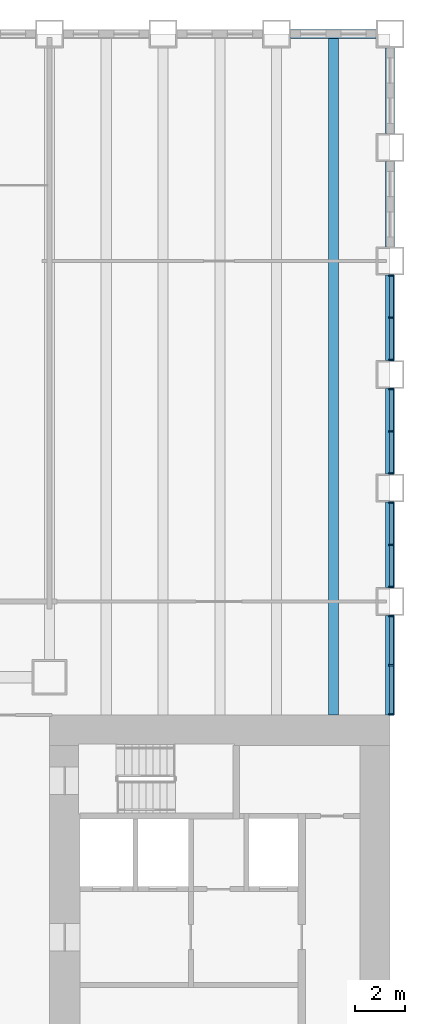
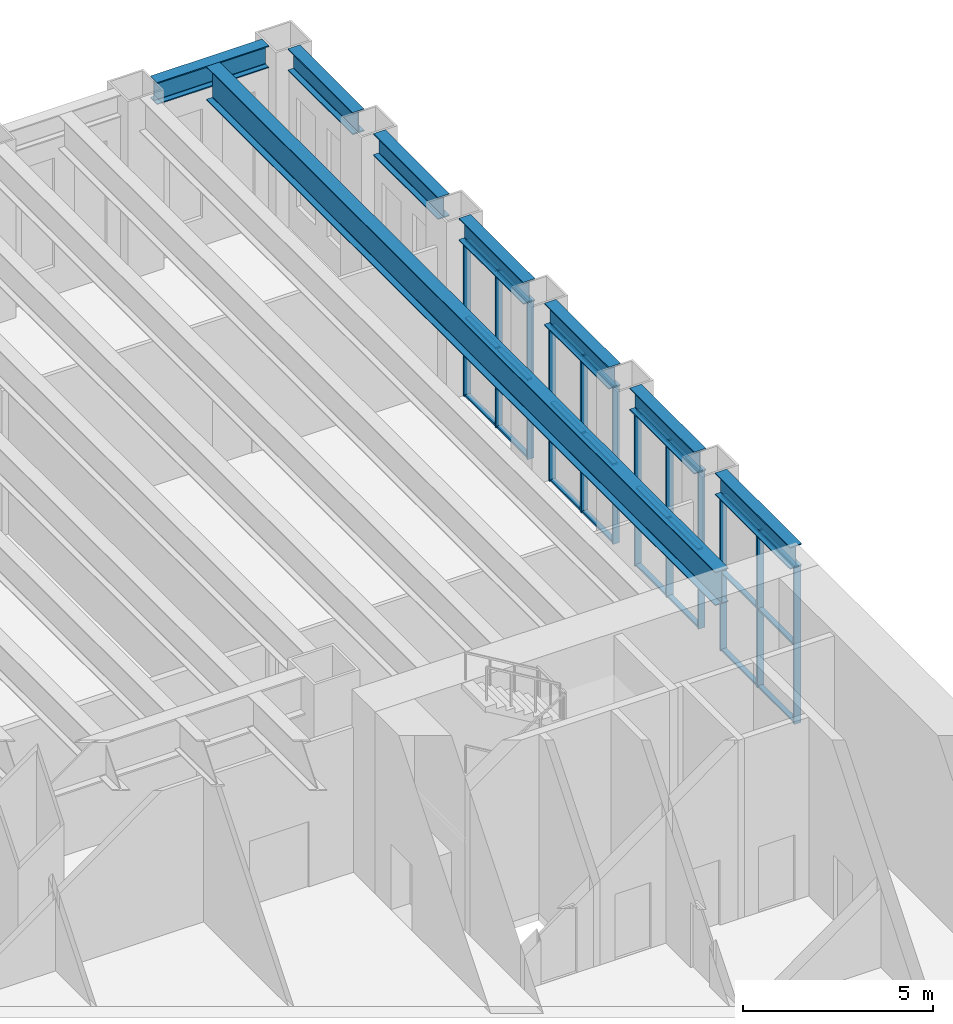
# One storey, part 4 of 19: 36 members, 8 beams, 4 elements without a shape of their own.
"""IFC4 building model written with IfcOpenShell, lengths in metres."""

from ifc_helpers import new_model, si_unit, direction, frame, origin, origin_2d, place, context, subcontext, project, spatial, rectangle, i_section, extrude, material, material_profile, profile_set, type_object, element, aggregate, save


model = new_model("IFC4")

# Units and contexts
model_context = context("Model", 3, precision=1e-05, world=origin(), true_north=direction((0.0, 1.0)))
body_context = subcontext(model_context, "Body", "Model", "MODEL_VIEW")
ifc_project = project(units=[si_unit("LENGTHUNIT", "METRE"), si_unit("AREAUNIT", "SQUARE_METRE"), si_unit("VOLUMEUNIT", "CUBIC_METRE"), si_unit("PLANEANGLEUNIT", "RADIAN"), si_unit("MASSUNIT", "GRAM", prefix="KILO")], contexts=[model_context])

# Site, building, storey
site_placement = place(None, origin())
site = spatial("IfcSite", under=ifc_project, at=site_placement, CompositionType="ELEMENT")
building_placement = place(site_placement, origin())
building = spatial("IfcBuilding", under=site, at=building_placement, Name="Sennacour Bend Tower", CompositionType="ELEMENT")
storey_placement = place(building_placement, frame((0.0, 0.0, 8.0)))
storey = spatial("IfcBuildingStorey", under=building, at=storey_placement, Name="L01", CompositionType="ELEMENT", Elevation=8.0)

# Curtain wall, members
ifc_material_1 = material(Name="Bronze anodised aluminium curtain wall with clear glass", Category="aluminium")
curtain_wall_type = type_object("IfcCurtainWallType", Name="CURTAIN WALL NOTCH", PredefinedType="NOTDEFINED", material=ifc_material_1)
curtain_wall_1_placement = place(storey_placement, origin())
curtain_wall_1 = element("IfcCurtainWall", 1, at=curtain_wall_1_placement, inside=storey, type_object=curtain_wall_type, Name="Podium glass wall L01", PredefinedType="NOTDEFINED")
ifc_material_2 = material(Name="Aluminium 6063-T6", Category="aluminium")
ifc_material_profile_1 = material_profile(ifc_material_2, rectangle(XDim=0.199951171875, YDim=0.06005859375, at=origin_2d()), Name="Aluminium 6063-T6", Category="aluminium")
ifc_profile_set_1 = profile_set([ifc_material_profile_1], Name="Aluminium 6063-T6")
member_type_1 = type_object("IfcMemberType", Name="CW-MULLION-200X60", PredefinedType="MULLION", material=ifc_profile_set_1)
member_1_placement = place(storey_placement, frame((67.550048828125, 22.531005859375, 0.0), z_axis=(0.0, 0.0, 1.0), x_axis=(-1.0, 0.0, 0.0)))
member_1 = element("IfcMember", 2, at=member_1_placement, type_object=member_type_1, Name="GW2 curtain wall mullion 1", PredefinedType="MULLION", context=body_context, shape_type="SweptSolid", body=[
    extrude(rectangle(XDim=0.199951171875, YDim=0.06005859375, at=origin_2d()), origin(), (0.0, 0.0, 1.0), 5.035888671875),
])
member_2_placement = place(storey_placement, frame((67.550048828125, 24.4755859375, 0.0), z_axis=(0.0, 0.0, 1.0), x_axis=(-1.0, 0.0, 0.0)))
member_2 = element("IfcMember", 3, at=member_2_placement, type_object=member_type_1, Name="GW2 curtain wall mullion 2", PredefinedType="MULLION", context=body_context, shape_type="SweptSolid", body=[
    extrude(rectangle(XDim=0.199951171875, YDim=0.06005859375, at=origin_2d()), origin(), (0.0, 0.0, 1.0), 5.035888671875),
])
member_3_placement = place(storey_placement, frame((67.550048828125, 26.419921875, 0.0), z_axis=(0.0, 0.0, 1.0), x_axis=(-1.0, 0.0, 0.0)))
member_3 = element("IfcMember", 4, at=member_3_placement, type_object=member_type_1, Name="GW2 curtain wall mullion 3", PredefinedType="MULLION", context=body_context, shape_type="SweptSolid", body=[
    extrude(rectangle(XDim=0.199951171875, YDim=0.06005859375, at=origin_2d()), origin(), (0.0, 0.0, 1.0), 5.035888671875),
])

curtain_wall_2_placement = place(storey_placement, origin())
curtain_wall_2 = element("IfcCurtainWall", 5, at=curtain_wall_2_placement, inside=storey, type_object=curtain_wall_type, Name="Podium glass wall L01", PredefinedType="NOTDEFINED")
member_4_placement = place(storey_placement, frame((67.550048828125, 27.580078125, 0.0), z_axis=(0.0, 0.0, 1.0), x_axis=(-1.0, 0.0, 0.0)))
member_4 = element("IfcMember", 6, at=member_4_placement, type_object=member_type_1, Name="GW2 curtain wall mullion 1", PredefinedType="MULLION", context=body_context, shape_type="SweptSolid", body=[
    extrude(rectangle(XDim=0.199951171875, YDim=0.06005859375, at=origin_2d()), origin(), (0.0, 0.0, 1.0), 5.035888671875),
])
member_5_placement = place(storey_placement, frame((67.550048828125, 29.25, 0.0), z_axis=(0.0, 0.0, 1.0), x_axis=(-1.0, 0.0, 0.0)))
member_5 = element("IfcMember", 7, at=member_5_placement, type_object=member_type_1, Name="GW2 curtain wall mullion 2", PredefinedType="MULLION", context=body_context, shape_type="SweptSolid", body=[
    extrude(rectangle(XDim=0.199951171875, YDim=0.06005859375, at=origin_2d()), origin(), (0.0, 0.0, 1.0), 5.035888671875),
])
member_6_placement = place(storey_placement, frame((67.550048828125, 30.919921875, 0.0), z_axis=(0.0, 0.0, 1.0), x_axis=(-1.0, 0.0, 0.0)))
member_6 = element("IfcMember", 8, at=member_6_placement, type_object=member_type_1, Name="GW2 curtain wall mullion 3", PredefinedType="MULLION", context=body_context, shape_type="SweptSolid", body=[
    extrude(rectangle(XDim=0.199951171875, YDim=0.06005859375, at=origin_2d()), origin(), (0.0, 0.0, 1.0), 5.035888671875),
])

curtain_wall_3_placement = place(storey_placement, origin())
curtain_wall_3 = element("IfcCurtainWall", 9, at=curtain_wall_3_placement, inside=storey, type_object=curtain_wall_type, Name="Podium glass wall L01", PredefinedType="NOTDEFINED")
member_7_placement = place(storey_placement, frame((67.550048828125, 32.080078125, 0.0), z_axis=(0.0, 0.0, 1.0), x_axis=(-1.0, 0.0, 0.0)))
member_7 = element("IfcMember", 10, at=member_7_placement, type_object=member_type_1, Name="GW2 curtain wall mullion 1", PredefinedType="MULLION", context=body_context, shape_type="SweptSolid", body=[
    extrude(rectangle(XDim=0.199951171875, YDim=0.06005859375, at=origin_2d()), origin(), (0.0, 0.0, 1.0), 5.035888671875),
])
member_8_placement = place(storey_placement, frame((67.550048828125, 33.75, 0.0), z_axis=(0.0, 0.0, 1.0), x_axis=(-1.0, 0.0, 0.0)))
member_8 = element("IfcMember", 11, at=member_8_placement, type_object=member_type_1, Name="GW2 curtain wall mullion 2", PredefinedType="MULLION", context=body_context, shape_type="SweptSolid", body=[
    extrude(rectangle(XDim=0.199951171875, YDim=0.06005859375, at=origin_2d()), origin(), (0.0, 0.0, 1.0), 5.035888671875),
])
member_9_placement = place(storey_placement, frame((67.550048828125, 35.419921875, 0.0), z_axis=(0.0, 0.0, 1.0), x_axis=(-1.0, 0.0, 0.0)))
member_9 = element("IfcMember", 12, at=member_9_placement, type_object=member_type_1, Name="GW2 curtain wall mullion 3", PredefinedType="MULLION", context=body_context, shape_type="SweptSolid", body=[
    extrude(rectangle(XDim=0.199951171875, YDim=0.06005859375, at=origin_2d()), origin(), (0.0, 0.0, 1.0), 5.035888671875),
])

curtain_wall_4_placement = place(storey_placement, origin())
curtain_wall_4 = element("IfcCurtainWall", 13, at=curtain_wall_4_placement, inside=storey, type_object=curtain_wall_type, Name="Podium glass wall L01", PredefinedType="NOTDEFINED")
member_10_placement = place(storey_placement, frame((67.550048828125, 36.580078125, 0.0), z_axis=(0.0, 0.0, 1.0), x_axis=(-1.0, 0.0, 0.0)))
member_10 = element("IfcMember", 14, at=member_10_placement, type_object=member_type_1, Name="GW2 curtain wall mullion 1", PredefinedType="MULLION", context=body_context, shape_type="SweptSolid", body=[
    extrude(rectangle(XDim=0.199951171875, YDim=0.06005859375, at=origin_2d()), origin(), (0.0, 0.0, 1.0), 5.035888671875),
])
member_11_placement = place(storey_placement, frame((67.550048828125, 38.25, 0.0), z_axis=(0.0, 0.0, 1.0), x_axis=(-1.0, 0.0, 0.0)))
member_11 = element("IfcMember", 15, at=member_11_placement, type_object=member_type_1, Name="GW2 curtain wall mullion 2", PredefinedType="MULLION", context=body_context, shape_type="SweptSolid", body=[
    extrude(rectangle(XDim=0.199951171875, YDim=0.06005859375, at=origin_2d()), origin(), (0.0, 0.0, 1.0), 5.035888671875),
])
member_12_placement = place(storey_placement, frame((67.550048828125, 39.919921875, 0.0), z_axis=(0.0, 0.0, 1.0), x_axis=(-1.0, 0.0, 0.0)))
member_12 = element("IfcMember", 16, at=member_12_placement, type_object=member_type_1, Name="GW2 curtain wall mullion 3", PredefinedType="MULLION", context=body_context, shape_type="SweptSolid", body=[
    extrude(rectangle(XDim=0.199951171875, YDim=0.06005859375, at=origin_2d()), origin(), (0.0, 0.0, 1.0), 5.035888671875),
])

# Member
ifc_material_profile_2 = material_profile(ifc_material_2, rectangle(XDim=0.14990234375, YDim=0.06005859375, at=origin_2d()), Name="Aluminium 6063-T6", Category="aluminium")
ifc_profile_set_2 = profile_set([ifc_material_profile_2], Name="Aluminium 6063-T6")
member_type_2 = type_object("IfcMemberType", Name="CW-TRANSOM-150X60", PredefinedType="USERDEFINED", material=ifc_profile_set_2)
member_13_placement = place(storey_placement, frame((67.550048828125, 22.56103515625, 0.030029296875), z_axis=(0.0, 1.0, 0.0), x_axis=(-1.0, 0.0, 0.0)))
member_13 = element("IfcMember", 17, at=member_13_placement, type_object=member_type_2, Name="GW2 curtain wall transom 1.1", ObjectType="TRANSOM", PredefinedType="USERDEFINED", context=body_context, shape_type="SweptSolid", body=[
    extrude(rectangle(XDim=0.14990234375, YDim=0.06005859375, at=origin_2d()), origin(), (0.0, 0.0, 1.0), 1.884521484375),
])

member_14_placement = place(storey_placement, frame((67.550048828125, 22.56103515625, 2.51806640625), z_axis=(0.0, 1.0, 0.0), x_axis=(-1.0, 0.0, 0.0)))
member_14 = element("IfcMember", 18, at=member_14_placement, type_object=member_type_2, Name="GW2 curtain wall transom 1.2", ObjectType="TRANSOM", PredefinedType="USERDEFINED", context=body_context, shape_type="SweptSolid", body=[
    extrude(rectangle(XDim=0.14990234375, YDim=0.06005859375, at=origin_2d()), origin(), (0.0, 0.0, 1.0), 1.884521484375),
])

member_15_placement = place(storey_placement, frame((67.550048828125, 22.56103515625, 5.006103515625), z_axis=(0.0, 1.0, 0.0), x_axis=(-1.0, 0.0, 0.0)))
member_15 = element("IfcMember", 19, at=member_15_placement, type_object=member_type_2, Name="GW2 curtain wall transom 1.3", ObjectType="TRANSOM", PredefinedType="USERDEFINED", context=body_context, shape_type="SweptSolid", body=[
    extrude(rectangle(XDim=0.14990234375, YDim=0.06005859375, at=origin_2d()), origin(), (0.0, 0.0, 1.0), 1.884521484375),
])

member_16_placement = place(storey_placement, frame((67.550048828125, 24.505615234375, 0.030029296875), z_axis=(0.0, 1.0, 0.0), x_axis=(-1.0, 0.0, 0.0)))
member_16 = element("IfcMember", 20, at=member_16_placement, type_object=member_type_2, Name="GW2 curtain wall transom 2.1", ObjectType="TRANSOM", PredefinedType="USERDEFINED", context=body_context, shape_type="SweptSolid", body=[
    extrude(rectangle(XDim=0.14990234375, YDim=0.06005859375, at=origin_2d()), origin(), (0.0, 0.0, 1.0), 1.88427734375),
])

member_17_placement = place(storey_placement, frame((67.550048828125, 24.505615234375, 2.51806640625), z_axis=(0.0, 1.0, 0.0), x_axis=(-1.0, 0.0, 0.0)))
member_17 = element("IfcMember", 21, at=member_17_placement, type_object=member_type_2, Name="GW2 curtain wall transom 2.2", ObjectType="TRANSOM", PredefinedType="USERDEFINED", context=body_context, shape_type="SweptSolid", body=[
    extrude(rectangle(XDim=0.14990234375, YDim=0.06005859375, at=origin_2d()), origin(), (0.0, 0.0, 1.0), 1.88427734375),
])

member_18_placement = place(storey_placement, frame((67.550048828125, 24.505615234375, 5.006103515625), z_axis=(0.0, 1.0, 0.0), x_axis=(-1.0, 0.0, 0.0)))
member_18 = element("IfcMember", 22, at=member_18_placement, type_object=member_type_2, Name="GW2 curtain wall transom 2.3", ObjectType="TRANSOM", PredefinedType="USERDEFINED", context=body_context, shape_type="SweptSolid", body=[
    extrude(rectangle(XDim=0.14990234375, YDim=0.06005859375, at=origin_2d()), origin(), (0.0, 0.0, 1.0), 1.88427734375),
])

aggregate(curtain_wall_1, [member_1, member_2, member_3, member_13, member_14, member_15, member_16, member_17, member_18])

member_19_placement = place(storey_placement, frame((67.550048828125, 27.610107421875, 0.030029296875), z_axis=(0.0, 1.0, 0.0), x_axis=(-1.0, 0.0, 0.0)))
member_19 = element("IfcMember", 23, at=member_19_placement, type_object=member_type_2, Name="GW2 curtain wall transom 1.1", ObjectType="TRANSOM", PredefinedType="USERDEFINED", context=body_context, shape_type="SweptSolid", body=[
    extrude(rectangle(XDim=0.14990234375, YDim=0.06005859375, at=origin_2d()), origin(), (0.0, 0.0, 1.0), 1.60986328125),
])

member_20_placement = place(storey_placement, frame((67.550048828125, 27.610107421875, 2.51806640625), z_axis=(0.0, 1.0, 0.0), x_axis=(-1.0, 0.0, 0.0)))
member_20 = element("IfcMember", 24, at=member_20_placement, type_object=member_type_2, Name="GW2 curtain wall transom 1.2", ObjectType="TRANSOM", PredefinedType="USERDEFINED", context=body_context, shape_type="SweptSolid", body=[
    extrude(rectangle(XDim=0.14990234375, YDim=0.06005859375, at=origin_2d()), origin(), (0.0, 0.0, 1.0), 1.60986328125),
])

member_21_placement = place(storey_placement, frame((67.550048828125, 27.610107421875, 5.006103515625), z_axis=(0.0, 1.0, 0.0), x_axis=(-1.0, 0.0, 0.0)))
member_21 = element("IfcMember", 25, at=member_21_placement, type_object=member_type_2, Name="GW2 curtain wall transom 1.3", ObjectType="TRANSOM", PredefinedType="USERDEFINED", context=body_context, shape_type="SweptSolid", body=[
    extrude(rectangle(XDim=0.14990234375, YDim=0.06005859375, at=origin_2d()), origin(), (0.0, 0.0, 1.0), 1.60986328125),
])

member_22_placement = place(storey_placement, frame((67.550048828125, 29.280029296875, 0.030029296875), z_axis=(0.0, 1.0, 0.0), x_axis=(-1.0, 0.0, 0.0)))
member_22 = element("IfcMember", 26, at=member_22_placement, type_object=member_type_2, Name="GW2 curtain wall transom 2.1", ObjectType="TRANSOM", PredefinedType="USERDEFINED", context=body_context, shape_type="SweptSolid", body=[
    extrude(rectangle(XDim=0.14990234375, YDim=0.06005859375, at=origin_2d()), origin(), (0.0, 0.0, 1.0), 1.60986328125),
])

member_23_placement = place(storey_placement, frame((67.550048828125, 29.280029296875, 2.51806640625), z_axis=(0.0, 1.0, 0.0), x_axis=(-1.0, 0.0, 0.0)))
member_23 = element("IfcMember", 27, at=member_23_placement, type_object=member_type_2, Name="GW2 curtain wall transom 2.2", ObjectType="TRANSOM", PredefinedType="USERDEFINED", context=body_context, shape_type="SweptSolid", body=[
    extrude(rectangle(XDim=0.14990234375, YDim=0.06005859375, at=origin_2d()), origin(), (0.0, 0.0, 1.0), 1.60986328125),
])

member_24_placement = place(storey_placement, frame((67.550048828125, 29.280029296875, 5.006103515625), z_axis=(0.0, 1.0, 0.0), x_axis=(-1.0, 0.0, 0.0)))
member_24 = element("IfcMember", 28, at=member_24_placement, type_object=member_type_2, Name="GW2 curtain wall transom 2.3", ObjectType="TRANSOM", PredefinedType="USERDEFINED", context=body_context, shape_type="SweptSolid", body=[
    extrude(rectangle(XDim=0.14990234375, YDim=0.06005859375, at=origin_2d()), origin(), (0.0, 0.0, 1.0), 1.60986328125),
])

aggregate(curtain_wall_2, [member_4, member_5, member_6, member_19, member_20, member_21, member_22, member_23, member_24])

member_25_placement = place(storey_placement, frame((67.550048828125, 32.110107421875, 0.030029296875), z_axis=(0.0, 1.0, 0.0), x_axis=(-1.0, 0.0, 0.0)))
member_25 = element("IfcMember", 29, at=member_25_placement, type_object=member_type_2, Name="GW2 curtain wall transom 1.1", ObjectType="TRANSOM", PredefinedType="USERDEFINED", context=body_context, shape_type="SweptSolid", body=[
    extrude(rectangle(XDim=0.14990234375, YDim=0.06005859375, at=origin_2d()), origin(), (0.0, 0.0, 1.0), 1.60986328125),
])

member_26_placement = place(storey_placement, frame((67.550048828125, 32.110107421875, 2.51806640625), z_axis=(0.0, 1.0, 0.0), x_axis=(-1.0, 0.0, 0.0)))
member_26 = element("IfcMember", 30, at=member_26_placement, type_object=member_type_2, Name="GW2 curtain wall transom 1.2", ObjectType="TRANSOM", PredefinedType="USERDEFINED", context=body_context, shape_type="SweptSolid", body=[
    extrude(rectangle(XDim=0.14990234375, YDim=0.06005859375, at=origin_2d()), origin(), (0.0, 0.0, 1.0), 1.60986328125),
])

member_27_placement = place(storey_placement, frame((67.550048828125, 32.110107421875, 5.006103515625), z_axis=(0.0, 1.0, 0.0), x_axis=(-1.0, 0.0, 0.0)))
member_27 = element("IfcMember", 31, at=member_27_placement, type_object=member_type_2, Name="GW2 curtain wall transom 1.3", ObjectType="TRANSOM", PredefinedType="USERDEFINED", context=body_context, shape_type="SweptSolid", body=[
    extrude(rectangle(XDim=0.14990234375, YDim=0.06005859375, at=origin_2d()), origin(), (0.0, 0.0, 1.0), 1.60986328125),
])

member_28_placement = place(storey_placement, frame((67.550048828125, 33.780029296875, 0.030029296875), z_axis=(0.0, 1.0, 0.0), x_axis=(-1.0, 0.0, 0.0)))
member_28 = element("IfcMember", 32, at=member_28_placement, type_object=member_type_2, Name="GW2 curtain wall transom 2.1", ObjectType="TRANSOM", PredefinedType="USERDEFINED", context=body_context, shape_type="SweptSolid", body=[
    extrude(rectangle(XDim=0.14990234375, YDim=0.06005859375, at=origin_2d()), origin(), (0.0, 0.0, 1.0), 1.60986328125),
])

member_29_placement = place(storey_placement, frame((67.550048828125, 33.780029296875, 2.51806640625), z_axis=(0.0, 1.0, 0.0), x_axis=(-1.0, 0.0, 0.0)))
member_29 = element("IfcMember", 33, at=member_29_placement, type_object=member_type_2, Name="GW2 curtain wall transom 2.2", ObjectType="TRANSOM", PredefinedType="USERDEFINED", context=body_context, shape_type="SweptSolid", body=[
    extrude(rectangle(XDim=0.14990234375, YDim=0.06005859375, at=origin_2d()), origin(), (0.0, 0.0, 1.0), 1.60986328125),
])

member_30_placement = place(storey_placement, frame((67.550048828125, 33.780029296875, 5.006103515625), z_axis=(0.0, 1.0, 0.0), x_axis=(-1.0, 0.0, 0.0)))
member_30 = element("IfcMember", 34, at=member_30_placement, type_object=member_type_2, Name="GW2 curtain wall transom 2.3", ObjectType="TRANSOM", PredefinedType="USERDEFINED", context=body_context, shape_type="SweptSolid", body=[
    extrude(rectangle(XDim=0.14990234375, YDim=0.06005859375, at=origin_2d()), origin(), (0.0, 0.0, 1.0), 1.60986328125),
])

aggregate(curtain_wall_3, [member_7, member_8, member_9, member_25, member_26, member_27, member_28, member_29, member_30])

member_31_placement = place(storey_placement, frame((67.550048828125, 36.610107421875, 0.030029296875), z_axis=(0.0, 1.0, 0.0), x_axis=(-1.0, 0.0, 0.0)))
member_31 = element("IfcMember", 35, at=member_31_placement, type_object=member_type_2, Name="GW2 curtain wall transom 1.1", ObjectType="TRANSOM", PredefinedType="USERDEFINED", context=body_context, shape_type="SweptSolid", body=[
    extrude(rectangle(XDim=0.14990234375, YDim=0.06005859375, at=origin_2d()), origin(), (0.0, 0.0, 1.0), 1.60986328125),
])

member_32_placement = place(storey_placement, frame((67.550048828125, 36.610107421875, 2.51806640625), z_axis=(0.0, 1.0, 0.0), x_axis=(-1.0, 0.0, 0.0)))
member_32 = element("IfcMember", 36, at=member_32_placement, type_object=member_type_2, Name="GW2 curtain wall transom 1.2", ObjectType="TRANSOM", PredefinedType="USERDEFINED", context=body_context, shape_type="SweptSolid", body=[
    extrude(rectangle(XDim=0.14990234375, YDim=0.06005859375, at=origin_2d()), origin(), (0.0, 0.0, 1.0), 1.60986328125),
])

member_33_placement = place(storey_placement, frame((67.550048828125, 36.610107421875, 5.006103515625), z_axis=(0.0, 1.0, 0.0), x_axis=(-1.0, 0.0, 0.0)))
member_33 = element("IfcMember", 37, at=member_33_placement, type_object=member_type_2, Name="GW2 curtain wall transom 1.3", ObjectType="TRANSOM", PredefinedType="USERDEFINED", context=body_context, shape_type="SweptSolid", body=[
    extrude(rectangle(XDim=0.14990234375, YDim=0.06005859375, at=origin_2d()), origin(), (0.0, 0.0, 1.0), 1.60986328125),
])

member_34_placement = place(storey_placement, frame((67.550048828125, 38.280029296875, 0.030029296875), z_axis=(0.0, 1.0, 0.0), x_axis=(-1.0, 0.0, 0.0)))
member_34 = element("IfcMember", 38, at=member_34_placement, type_object=member_type_2, Name="GW2 curtain wall transom 2.1", ObjectType="TRANSOM", PredefinedType="USERDEFINED", context=body_context, shape_type="SweptSolid", body=[
    extrude(rectangle(XDim=0.14990234375, YDim=0.06005859375, at=origin_2d()), origin(), (0.0, 0.0, 1.0), 1.60986328125),
])

member_35_placement = place(storey_placement, frame((67.550048828125, 38.280029296875, 2.51806640625), z_axis=(0.0, 1.0, 0.0), x_axis=(-1.0, 0.0, 0.0)))
member_35 = element("IfcMember", 39, at=member_35_placement, type_object=member_type_2, Name="GW2 curtain wall transom 2.2", ObjectType="TRANSOM", PredefinedType="USERDEFINED", context=body_context, shape_type="SweptSolid", body=[
    extrude(rectangle(XDim=0.14990234375, YDim=0.06005859375, at=origin_2d()), origin(), (0.0, 0.0, 1.0), 1.60986328125),
])

member_36_placement = place(storey_placement, frame((67.550048828125, 38.280029296875, 5.006103515625), z_axis=(0.0, 1.0, 0.0), x_axis=(-1.0, 0.0, 0.0)))
member_36 = element("IfcMember", 40, at=member_36_placement, type_object=member_type_2, Name="GW2 curtain wall transom 2.3", ObjectType="TRANSOM", PredefinedType="USERDEFINED", context=body_context, shape_type="SweptSolid", body=[
    extrude(rectangle(XDim=0.14990234375, YDim=0.06005859375, at=origin_2d()), origin(), (0.0, 0.0, 1.0), 1.60986328125),
])

aggregate(curtain_wall_4, [member_10, member_11, member_12, member_31, member_32, member_33, member_34, member_35, member_36])

# Beams
ifc_material_3 = material(Name="Steel ASTM A992 Grade 50", Category="steel")
ifc_material_profile_3 = material_profile(ifc_material_3, i_section(OverallWidth=0.40087890625, OverallDepth=1.090087890625, WebThickness=0.01806640625, FlangeThickness=0.031005859375, FilletRadius=0.02001953125, at=origin_2d()), Name="Steel ASTM A992 Grade 50", Category="steel")
ifc_profile_set_3 = profile_set([ifc_material_profile_3], Name="Steel ASTM A992 Grade 50")
beam_type_1 = type_object("IfcBeamType", Name="Notch floor beam W1100X343", PredefinedType="BEAM", material=ifc_profile_set_3)
beam_1_placement = place(storey_placement, frame((65.25, 22.5, 5.205078125), z_axis=(0.0, 1.0, 0.0), x_axis=(-1.0, 0.0, 0.0)))
element("IfcBeam", 41, at=beam_1_placement, inside=storey, type_object=beam_type_1, Name="Floor beam FBM4 L02-053", PredefinedType="BEAM", context=body_context, shape_type="SweptSolid", body=[
    extrude(i_section(OverallWidth=0.40087890625, OverallDepth=1.090087890625, WebThickness=0.01806640625, FlangeThickness=0.031005859375, FilletRadius=0.02001953125, at=origin_2d()), origin(), (0.0, 0.0, 1.0), 26.822021484375),
])
ifc_material_profile_4 = material_profile(ifc_material_3, i_section(OverallWidth=0.35595703125, OverallDepth=0.714111328125, WebThickness=0.01904296875, FlangeThickness=0.033935546875, FilletRadius=0.02001953125, at=origin_2d()), Name="Steel ASTM A992 Grade 50", Category="steel")
ifc_profile_set_4 = profile_set([ifc_material_profile_4], Name="Steel ASTM A992 Grade 50")
beam_type_2 = type_object("IfcBeamType", Name="Spandrel beam W690X289", PredefinedType="SPANDREL", material=ifc_profile_set_4)
for number, where, z_axis, x_axis, name in (
    (42, (67.5, 27.550048828125, 5.39306640625), (0.0, 1.0, 0.0), (-1.0, 0.0, 0.0), "Spandrel beam SP1 L02-001"),
    (43, (67.5, 32.050048828125, 5.39306640625), (0.0, 1.0, 0.0), (-1.0, 0.0, 0.0), "Spandrel beam SP1 L02-002"),
    (44, (67.5, 36.550048828125, 5.39306640625), (0.0, 1.0, 0.0), (-1.0, 0.0, 0.0), "Spandrel beam SP1 L02-003"),
    (45, (67.5, 41.050048828125, 5.39306640625), (0.0, 1.0, 0.0), (-1.0, 0.0, 0.0), "Spandrel beam SP1 L02-004"),
    (46, (67.5, 45.550048828125, 5.39306640625), (0.0, 1.0, 0.0), (-1.0, 0.0, 0.0), "Spandrel beam SP1 L02-005"),
    (47, (66.949951171875, 49.5, 5.39306640625), (-1.0, 0.0, 0.0), (0.0, -1.0, 0.0), "Spandrel beam SP1 L02-006"),
):
    element("IfcBeam", number, at=place(storey_placement, frame(where, z_axis=z_axis, x_axis=x_axis)), inside=storey, type_object=beam_type_2, Name=name, PredefinedType="SPANDREL", context=body_context, shape_type="SweptSolid", body=[
        extrude(i_section(OverallWidth=0.35595703125, OverallDepth=0.714111328125, WebThickness=0.01904296875, FlangeThickness=0.033935546875, FilletRadius=0.02001953125, at=origin_2d()), origin(), (0.0, 0.0, 1.0), 3.39990234375),
    ])
beam_2_placement = place(storey_placement, frame((67.5, 22.5, 5.39306640625), z_axis=(0.0, 1.0, 0.0), x_axis=(-1.0, 0.0, 0.0)))
element("IfcBeam", 48, at=beam_2_placement, inside=storey, type_object=beam_type_2, Name="Spandrel beam SP1 L02-036", PredefinedType="SPANDREL", context=body_context, shape_type="SweptSolid", body=[
    extrude(i_section(OverallWidth=0.35595703125, OverallDepth=0.714111328125, WebThickness=0.01904296875, FlangeThickness=0.033935546875, FilletRadius=0.02001953125, at=origin_2d()), origin(), (0.0, 0.0, 1.0), 3.949951171875),
])

save(model, "model.ifc")
